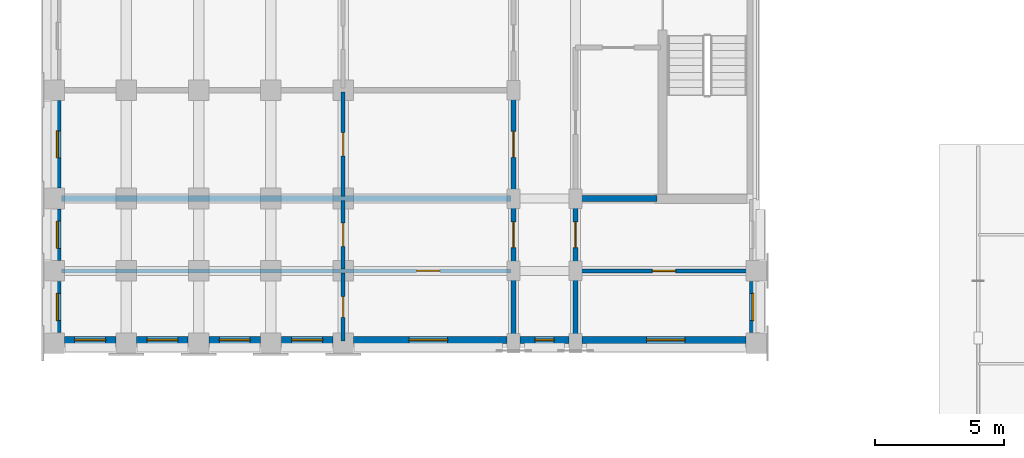
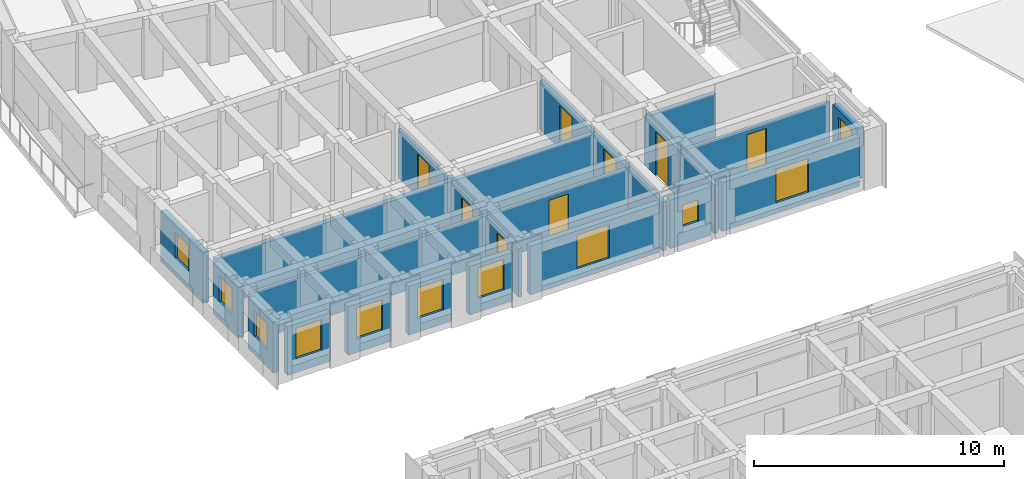
# One storey, part 42 of 76: 23 walls, 11 windows, 8 doors, 19 openings.
"""IFC4 building model written with IfcOpenShell, lengths in metres."""

from ifc_helpers import new_model, si_unit, direction, frame, frame_2d, origin, place, context, subcontext, project, spatial, rectangle, extrude, material, layer, layer_set, type_object, element, fill, save


model = new_model("IFC4")

# Units and contexts
model_context = context("Model", 3, precision=1e-05, world=origin(), true_north=direction((0.0, 1.0)))
body_context = subcontext(model_context, "Body", "Model", "MODEL_VIEW")
ifc_project = project(units=[si_unit("LENGTHUNIT", "METRE"), si_unit("AREAUNIT", "SQUARE_METRE"), si_unit("VOLUMEUNIT", "CUBIC_METRE"), si_unit("PLANEANGLEUNIT", "RADIAN"), si_unit("MASSUNIT", "GRAM", prefix="KILO")], contexts=[model_context])

# Site, building, storey
site_placement = place(None, origin())
site = spatial("IfcSite", under=ifc_project, at=site_placement, CompositionType="ELEMENT")
building_placement = place(site_placement, origin())
building = spatial("IfcBuilding", under=site, at=building_placement, Name="Kiranvali Square Residences", CompositionType="ELEMENT")
storey_placement = place(building_placement, frame((0.0, 0.0, 8.699951171875)))
storey = spatial("IfcBuildingStorey", under=building, at=storey_placement, Name="L02", CompositionType="ELEMENT", Elevation=8.699951171875)

# Wall, opening, door
ifc_material_1 = material(Name="Autoclaved aerated concrete blockwork masonry", Category="masonry")
ifc_layer_1 = layer(ifc_material_1, 0.199951171875)
ifc_layer_set_1 = layer_set([ifc_layer_1], Name="Autoclaved aerated concrete blockwork masonry")
wall_type_1 = type_object("IfcWallType", Name="WL-COR-200", PredefinedType="STANDARD", material=ifc_layer_set_1)
wall_1_placement = place(storey_placement, frame((20.0, 83.60009765625, 0.0), z_axis=(0.0, 0.0, 1.0), x_axis=(0.0, -1.0, 0.0)))
wall_1 = element("IfcWall", 1, at=wall_1_placement, inside=storey, type_object=wall_type_1, Name="L02 architectural wall WL-L02-A-A2CF-C1", PredefinedType="STANDARD", context=body_context, shape_type="SweptSolid", body=[
    extrude(rectangle(XDim=4.2001953125, YDim=0.199951171875, at=frame_2d((2.10009765625, 0.0))), origin(), (0.0, 0.0, 1.0), 2.3720703125),
])
opening_1_placement = place(wall_1_placement, frame((1.60009765625, 0.0, 0.0)))
opening_1 = element("IfcOpeningElement", 2, at=opening_1_placement, cuts=wall_1, Name="Opening FD-APT-60", PredefinedType="OPENING", context=body_context, shape_type="SweptSolid", body=[
    extrude(rectangle(XDim=1.0, YDim=2.14990234375, at=frame_2d((0.5, 1.074951171875))), frame((0.0, 0.10986328125, 0.0), z_axis=(0.0, -1.0, 0.0), x_axis=(1.0, 0.0, 0.0)), (0.0, 0.0, 1.0), 0.219970703125),
])
ifc_material_2 = material(Name="Fire-rated acoustic hardwood and mineral-core door assembly", Category="wood")
door_type_1 = type_object("IfcDoorType", Name="DR-APT-1000", OperationType="NOTDEFINED", PredefinedType="DOOR", material=ifc_material_2)
door_1_placement = place(opening_1_placement, frame((1.0, 0.0, 0.0), z_axis=(0.0, 0.0, 1.0), x_axis=(-1.0, 0.0, 0.0)))
door_1 = element("IfcDoor", 3, at=door_1_placement, inside=storey, type_object=door_type_1, Name="L02 door DR-L02-0206 (DR-APT-1000)", OperationType="SINGLE_SWING_RIGHT", OverallHeight=2.14990234375, OverallWidth=1.0, PredefinedType="DOOR", context=body_context, shape_type="SweptSolid", body=[
    extrude(rectangle(XDim=1.0, YDim=2.14990234375, at=frame_2d((0.5, 1.074951171875))), frame((0.0, 0.02490234375, 0.0), z_axis=(0.0, -1.0, 0.0), x_axis=(1.0, 0.0, 0.0)), (0.0, 0.0, 1.0), 0.050048828125),
])
fill(opening_1, door_1)

wall_2_placement = place(storey_placement, frame((22.39990234375, 79.39990234375, 0.0), z_axis=(0.0, 0.0, 1.0), x_axis=(0.0, -1.0, 0.0)))
wall_2 = element("IfcWall", 4, at=wall_2_placement, inside=storey, type_object=wall_type_1, Name="L02 architectural wall WL-L02-A-A2CI-0", PredefinedType="STANDARD", context=body_context, shape_type="SweptSolid", body=[
    extrude(rectangle(XDim=2.7998046875, YDim=0.199951171875, at=frame_2d((1.39990234375, 0.0))), origin(), (0.0, 0.0, 1.0), 2.3720703125),
])
opening_2_placement = place(wall_2_placement, frame((0.89990234375, 0.0, 0.0)))
opening_2 = element("IfcOpeningElement", 5, at=opening_2_placement, cuts=wall_2, Name="Opening FD-APT-60", PredefinedType="OPENING", context=body_context, shape_type="SweptSolid", body=[
    extrude(rectangle(XDim=1.0, YDim=2.14990234375, at=frame_2d((0.5, 1.074951171875))), frame((0.0, 0.10986328125, 0.0), z_axis=(0.0, -1.0, 0.0), x_axis=(1.0, 0.0, 0.0)), (0.0, 0.0, 1.0), 0.219970703125),
])
door_2_placement = place(opening_2_placement, frame((1.0, 0.0, 0.0), z_axis=(0.0, 0.0, 1.0), x_axis=(-1.0, 0.0, 0.0)))
door_2 = element("IfcDoor", 6, at=door_2_placement, inside=storey, type_object=door_type_1, Name="L02 door DR-L02-0208 (DR-APT-1000)", OperationType="SINGLE_SWING_RIGHT", OverallHeight=2.14990234375, OverallWidth=1.0, PredefinedType="DOOR", context=body_context, shape_type="SweptSolid", body=[
    extrude(rectangle(XDim=1.0, YDim=2.14990234375, at=frame_2d((0.5, 1.074951171875))), frame((0.0, 0.02490234375, 0.0), z_axis=(0.0, -1.0, 0.0), x_axis=(1.0, 0.0, 0.0)), (0.0, 0.0, 1.0), 0.050048828125),
])
fill(opening_2, door_2)

wall_3_placement = place(storey_placement, frame((20.0, 79.39990234375, 0.0), z_axis=(0.0, 0.0, 1.0), x_axis=(0.0, -1.0, 0.0)))
wall_3 = element("IfcWall", 7, at=wall_3_placement, inside=storey, type_object=wall_type_1, Name="L02 architectural wall WL-L02-A-A2CO-0", PredefinedType="STANDARD", context=body_context, shape_type="SweptSolid", body=[
    extrude(rectangle(XDim=2.7998046875, YDim=0.199951171875, at=frame_2d((1.39990234375, 0.0))), origin(), (0.0, 0.0, 1.0), 2.3720703125),
])
opening_3_placement = place(wall_3_placement, frame((0.89990234375, 0.0, 0.0)))
opening_3 = element("IfcOpeningElement", 8, at=opening_3_placement, cuts=wall_3, Name="Opening FD-APT-60", PredefinedType="OPENING", context=body_context, shape_type="SweptSolid", body=[
    extrude(rectangle(XDim=1.0, YDim=2.14990234375, at=frame_2d((0.5, 1.074951171875))), frame((0.0, 0.10986328125, 0.0), z_axis=(0.0, -1.0, 0.0), x_axis=(1.0, 0.0, 0.0)), (0.0, 0.0, 1.0), 0.219970703125),
])
door_3_placement = place(opening_3_placement, frame((1.0, 0.0, 0.0), z_axis=(0.0, 0.0, 1.0), x_axis=(-1.0, 0.0, 0.0)))
door_3 = element("IfcDoor", 9, at=door_3_placement, inside=storey, type_object=door_type_1, Name="L02 door DR-L02-0210 (DR-APT-1000)", OperationType="SINGLE_SWING_RIGHT", OverallHeight=2.14990234375, OverallWidth=1.0, PredefinedType="DOOR", context=body_context, shape_type="SweptSolid", body=[
    extrude(rectangle(XDim=1.0, YDim=2.14990234375, at=frame_2d((0.5, 1.074951171875))), frame((0.0, 0.02490234375, 0.0), z_axis=(0.0, -1.0, 0.0), x_axis=(1.0, 0.0, 0.0)), (0.0, 0.0, 1.0), 0.050048828125),
])
fill(opening_3, door_3)

# Walls
for number, where, z_axis, x_axis, name in (
    (10, (22.39990234375, 76.60009765625, 0.0), (0.0, 0.0, 1.0), (0.0, -1.0, 0.0), "L02 architectural wall WL-L02-A-A2CI-1"),
    (11, (20.0, 76.60009765625, 0.0), (0.0, 0.0, 1.0), (0.0, -1.0, 0.0), "L02 architectural wall WL-L02-A-A2CO-1"),
):
    element("IfcWall", number, at=place(storey_placement, frame(where, z_axis=z_axis, x_axis=x_axis)), inside=storey, type_object=wall_type_1, Name=name, PredefinedType="STANDARD", context=body_context, shape_type="SweptSolid", body=[
        extrude(rectangle(XDim=2.800048828125, YDim=0.199951171875, at=frame_2d((1.39990234375, 0.0))), origin(), (0.0, 0.0, 1.0), 2.3720703125),
    ])
ifc_layer_2 = layer(ifc_material_1, 0.219970703125)
ifc_layer_set_2 = layer_set([ifc_layer_2], Name="Autoclaved aerated concrete blockwork masonry")
wall_type_2 = type_object("IfcWallType", Name="WL-DEM-220", PredefinedType="STANDARD", material=ifc_layer_set_2)
wall_4_placement = place(storey_placement, frame((25.550048828125, 79.39990234375, 0.0), z_axis=(0.0, 0.0, 1.0), x_axis=(-1.0, 0.0, 0.0)))
element("IfcWall", 12, at=wall_4_placement, inside=storey, type_object=wall_type_2, Name="L02 architectural wall WL-L02-A-A2TI-0", PredefinedType="STANDARD", context=body_context, shape_type="SweptSolid", body=[
    extrude(rectangle(XDim=3.10009765625, YDim=0.219970703125, at=frame_2d((1.550048828125, 0.0))), origin(), (0.0, 0.0, 1.0), 2.3720703125),
])
wall_5_placement = place(storey_placement, frame((19.89990234375, 79.39990234375, 0.0), z_axis=(0.0, 0.0, 1.0), x_axis=(-1.0, 0.0, 0.0)))
element("IfcWall", 13, at=wall_5_placement, inside=storey, type_object=wall_type_2, Name="L02 architectural wall WL-L02-A-A2TO-0", PredefinedType="STANDARD", context=body_context, shape_type="SweptSolid", body=[
    extrude(rectangle(XDim=17.419921875, YDim=0.219970703125, at=frame_2d((8.7099609375, 0.0))), origin(), (0.0, 0.0, 1.0), 2.3720703125),
])

# Wall, opening, window
ifc_material_3 = material(Name="Breathable lime-rendered clay brick masonry", Category="masonry")
ifc_layer_3 = layer(ifc_material_3, 0.27490234375)
ifc_layer_set_3 = layer_set([ifc_layer_3], Name="Breathable lime-rendered clay brick masonry")
wall_type_3 = type_object("IfcWallType", Name="WL-EXT-275", PredefinedType="STANDARD", material=ifc_layer_set_3)
wall_6_placement = place(storey_placement, frame((2.324951171875, 83.196533203125, 0.0), z_axis=(0.0, 0.0, 1.0), x_axis=(0.0, -1.0, 0.0)))
wall_6 = element("IfcWall", 14, at=wall_6_placement, inside=storey, type_object=wall_type_3, Name="L02 exterior wall A-L02-A2O-1", PredefinedType="STANDARD", context=body_context, shape_type="SweptSolid", body=[
    extrude(rectangle(XDim=3.39306640625, YDim=0.27490234375, at=frame_2d((1.696533203125, 0.0))), origin(), (0.0, 0.0, 1.0), 2.47216796875),
])
opening_4_placement = place(wall_6_placement, frame((1.17138671875, 0.0, 0.8798828125)))
opening_4 = element("IfcOpeningElement", 15, at=opening_4_placement, cuts=wall_6, Name="Opening W-24", PredefinedType="OPENING", context=body_context, shape_type="SweptSolid", body=[
    extrude(rectangle(XDim=1.050048828125, YDim=1.25, at=frame_2d((0.52490234375, 0.625))), frame((0.0, 0.1474609375, 0.0), z_axis=(0.0, -1.0, 0.0), x_axis=(1.0, 0.0, 0.0)), (0.0, 0.0, 1.0), 0.294921875),
])
ifc_material_4 = material(Name="Solar-control low-e double glazing", Category="glass")
window_type_1 = type_object("IfcWindowType", Name="WIN-COR-1050x1250", PartitioningType="SINGLE_PANEL", PredefinedType="WINDOW", material=ifc_material_4)
window_1_placement = place(opening_4_placement, origin())
window_1 = element("IfcWindow", 16, at=window_1_placement, inside=storey, type_object=window_type_1, Name="L02 recessed window A-L02-A2O-1", OverallHeight=1.25, OverallWidth=1.050048828125, PartitioningType="SINGLE_PANEL", PredefinedType="WINDOW", context=body_context, shape_type="SweptSolid", body=[
    extrude(rectangle(XDim=1.050048828125, YDim=1.25, at=frame_2d((0.52490234375, 0.625))), frame((0.0, 0.030029296875, 0.0), z_axis=(0.0, -1.0, 0.0), x_axis=(1.0, 0.0, 0.0)), (0.0, 0.0, 1.0), 0.06005859375),
])
fill(opening_4, window_1)

wall_7_placement = place(storey_placement, frame((2.324951171875, 78.99658203125, 0.0), z_axis=(0.0, 0.0, 1.0), x_axis=(0.0, -1.0, 0.0)))
wall_7 = element("IfcWall", 17, at=wall_7_placement, inside=storey, type_object=wall_type_3, Name="L02 exterior wall A-L02-A2O-2", PredefinedType="STANDARD", context=body_context, shape_type="SweptSolid", body=[
    extrude(rectangle(XDim=1.9931640625, YDim=0.27490234375, at=frame_2d((0.99658203125, 0.0))), origin(), (0.0, 0.0, 1.0), 2.47216796875),
])
opening_5_placement = place(wall_7_placement, frame((0.471435546875, 0.0, 0.8798828125)))
opening_5 = element("IfcOpeningElement", 18, at=opening_5_placement, cuts=wall_7, Name="Opening W-24", PredefinedType="OPENING", context=body_context, shape_type="SweptSolid", body=[
    extrude(rectangle(XDim=1.050048828125, YDim=1.25, at=frame_2d((0.52490234375, 0.625))), frame((0.0, 0.1474609375, 0.0), z_axis=(0.0, -1.0, 0.0), x_axis=(1.0, 0.0, 0.0)), (0.0, 0.0, 1.0), 0.294921875),
])
window_2_placement = place(opening_5_placement, origin())
window_2 = element("IfcWindow", 19, at=window_2_placement, inside=storey, type_object=window_type_1, Name="L02 recessed window A-L02-A2O-2", OverallHeight=1.25, OverallWidth=1.050048828125, PartitioningType="SINGLE_PANEL", PredefinedType="WINDOW", context=body_context, shape_type="SweptSolid", body=[
    extrude(rectangle(XDim=1.050048828125, YDim=1.25, at=frame_2d((0.52490234375, 0.625))), frame((0.0, 0.030029296875, 0.0), z_axis=(0.0, -1.0, 0.0), x_axis=(1.0, 0.0, 0.0)), (0.0, 0.0, 1.0), 0.06005859375),
])
fill(opening_5, window_2)

wall_8_placement = place(storey_placement, frame((2.324951171875, 76.196533203125, 0.0), z_axis=(0.0, 0.0, 1.0), x_axis=(0.0, -1.0, 0.0)))
wall_8 = element("IfcWall", 20, at=wall_8_placement, inside=storey, type_object=wall_type_3, Name="L02 exterior wall A-L02-A2O-3", PredefinedType="STANDARD", context=body_context, shape_type="SweptSolid", body=[
    extrude(rectangle(XDim=1.992919921875, YDim=0.27490234375, at=frame_2d((0.99658203125, 0.0))), origin(), (0.0, 0.0, 1.0), 2.47216796875),
])
opening_6_placement = place(wall_8_placement, frame((0.471435546875, 0.0, 0.8798828125)))
opening_6 = element("IfcOpeningElement", 21, at=opening_6_placement, cuts=wall_8, Name="Opening W-24", PredefinedType="OPENING", context=body_context, shape_type="SweptSolid", body=[
    extrude(rectangle(XDim=1.050048828125, YDim=1.25, at=frame_2d((0.52490234375, 0.625))), frame((0.0, 0.1474609375, 0.0), z_axis=(0.0, -1.0, 0.0), x_axis=(1.0, 0.0, 0.0)), (0.0, 0.0, 1.0), 0.294921875),
])
window_3_placement = place(opening_6_placement, origin())
window_3 = element("IfcWindow", 22, at=window_3_placement, inside=storey, type_object=window_type_1, Name="L02 recessed window A-L02-A2O-3", OverallHeight=1.25, OverallWidth=1.050048828125, PartitioningType="SINGLE_PANEL", PredefinedType="WINDOW", context=body_context, shape_type="SweptSolid", body=[
    extrude(rectangle(XDim=1.050048828125, YDim=1.25, at=frame_2d((0.52490234375, 0.625))), frame((0.0, 0.030029296875, 0.0), z_axis=(0.0, -1.0, 0.0), x_axis=(1.0, 0.0, 0.0)), (0.0, 0.0, 1.0), 0.06005859375),
])
fill(opening_6, window_3)

wall_9_placement = place(storey_placement, frame((29.27490234375, 76.196533203125, 0.0), z_axis=(0.0, 0.0, 1.0), x_axis=(0.0, -1.0, 0.0)))
wall_9 = element("IfcWall", 23, at=wall_9_placement, inside=storey, type_object=wall_type_3, Name="L02 exterior wall A-L02-A2I-1", PredefinedType="STANDARD", context=body_context, shape_type="SweptSolid", body=[
    extrude(rectangle(XDim=1.992919921875, YDim=0.27490234375, at=frame_2d((0.99658203125, 0.0))), origin(), (0.0, 0.0, 1.0), 2.47216796875),
])
opening_7_placement = place(wall_9_placement, frame((0.471435546875, 0.0, 0.8798828125)))
opening_7 = element("IfcOpeningElement", 24, at=opening_7_placement, cuts=wall_9, Name="Opening W-24", PredefinedType="OPENING", context=body_context, shape_type="SweptSolid", body=[
    extrude(rectangle(XDim=1.050048828125, YDim=1.25, at=frame_2d((0.52490234375, 0.625))), frame((0.0, 0.1474609375, 0.0), z_axis=(0.0, -1.0, 0.0), x_axis=(1.0, 0.0, 0.0)), (0.0, 0.0, 1.0), 0.294921875),
])
window_4_placement = place(opening_7_placement, origin())
window_4 = element("IfcWindow", 25, at=window_4_placement, inside=storey, type_object=window_type_1, Name="L02 recessed window A-L02-A2I-1", OverallHeight=1.25, OverallWidth=1.050048828125, PartitioningType="SINGLE_PANEL", PredefinedType="WINDOW", context=body_context, shape_type="SweptSolid", body=[
    extrude(rectangle(XDim=1.050048828125, YDim=1.25, at=frame_2d((0.52490234375, 0.625))), frame((0.0, 0.030029296875, 0.0), z_axis=(0.0, -1.0, 0.0), x_axis=(1.0, 0.0, 0.0)), (0.0, 0.0, 1.0), 0.06005859375),
])
fill(opening_7, window_4)

wall_10_placement = place(storey_placement, frame((28.99658203125, 73.925048828125, 0.0), z_axis=(0.0, 0.0, 1.0), x_axis=(-1.0, 0.0, 0.0)))
wall_10 = element("IfcWall", 26, at=wall_10_placement, inside=storey, type_object=wall_type_3, Name="L02 exterior wall A-L02-A2END-0", PredefinedType="STANDARD", context=body_context, shape_type="SweptSolid", body=[
    extrude(rectangle(XDim=6.343017578125, YDim=0.27490234375, at=frame_2d((3.17138671875, 0.0))), origin(), (0.0, 0.0, 1.0), 2.3720703125),
])
opening_8_placement = place(wall_10_placement, frame((2.346435546875, 0.0, 0.52197265625)))
opening_8 = element("IfcOpeningElement", 27, at=opening_8_placement, cuts=wall_10, Name="Opening W-05", PredefinedType="OPENING", context=body_context, shape_type="SweptSolid", body=[
    extrude(rectangle(XDim=1.5, YDim=1.64990234375, at=frame_2d((0.75, 0.824951171875))), frame((0.0, 0.1474609375, 0.0), z_axis=(0.0, -1.0, 0.0), x_axis=(1.0, 0.0, 0.0)), (0.0, 0.0, 1.0), 0.294921875),
])
window_type_2 = type_object("IfcWindowType", Name="WIN-RES-1500x1650", PartitioningType="DOUBLE_PANEL_VERTICAL", PredefinedType="WINDOW", material=ifc_material_4)
window_5_placement = place(opening_8_placement, origin())
window_5 = element("IfcWindow", 28, at=window_5_placement, inside=storey, type_object=window_type_2, Name="L02 recessed window A-L02-A2END-0", OverallHeight=1.64990234375, OverallWidth=1.5, PartitioningType="DOUBLE_PANEL_VERTICAL", PredefinedType="WINDOW", context=body_context, shape_type="SweptSolid", body=[
    extrude(rectangle(XDim=1.5, YDim=1.64990234375, at=frame_2d((0.75, 0.824951171875))), frame((0.0, 0.030029296875, 0.0), z_axis=(0.0, -1.0, 0.0), x_axis=(1.0, 0.0, 0.0)), (0.0, 0.0, 1.0), 0.06005859375),
])
fill(opening_8, window_5)

wall_11_placement = place(storey_placement, frame((22.146484375, 73.925048828125, 0.0), z_axis=(0.0, 0.0, 1.0), x_axis=(-1.0, 0.0, 0.0)))
wall_11 = element("IfcWall", 29, at=wall_11_placement, inside=storey, type_object=wall_type_3, Name="L02 exterior wall A-L02-A2END-1", PredefinedType="STANDARD", context=body_context, shape_type="SweptSolid", body=[
    extrude(rectangle(XDim=1.89306640625, YDim=0.27490234375, at=frame_2d((0.946533203125, 0.0))), origin(), (0.0, 0.0, 1.0), 2.3720703125),
])
opening_9_placement = place(wall_11_placement, frame((0.571533203125, 0.0, 0.8798828125)))
opening_9 = element("IfcOpeningElement", 30, at=opening_9_placement, cuts=wall_11, Name="Opening W-07", PredefinedType="OPENING", context=body_context, shape_type="SweptSolid", body=[
    extrude(rectangle(XDim=0.75, YDim=1.050048828125, at=frame_2d((0.375, 0.52490234375))), frame((0.0, 0.1474609375, 0.0), z_axis=(0.0, -1.0, 0.0), x_axis=(1.0, 0.0, 0.0)), (0.0, 0.0, 1.0), 0.294921875),
])
window_type_3 = type_object("IfcWindowType", Name="WIN-WET-750x1050", PartitioningType="SINGLE_PANEL", PredefinedType="WINDOW", material=ifc_material_4)
window_6_placement = place(opening_9_placement, origin())
window_6 = element("IfcWindow", 31, at=window_6_placement, inside=storey, type_object=window_type_3, Name="L02 recessed window A-L02-A2END-1", OverallHeight=1.050048828125, OverallWidth=0.75, PartitioningType="SINGLE_PANEL", PredefinedType="WINDOW", context=body_context, shape_type="SweptSolid", body=[
    extrude(rectangle(XDim=0.75, YDim=1.050048828125, at=frame_2d((0.375, 0.52490234375))), frame((0.0, 0.030029296875, 0.0), z_axis=(0.0, -1.0, 0.0), x_axis=(1.0, 0.0, 0.0)), (0.0, 0.0, 1.0), 0.06005859375),
])
fill(opening_9, window_6)

wall_12_placement = place(storey_placement, frame((19.74658203125, 73.925048828125, 0.0), z_axis=(0.0, 0.0, 1.0), x_axis=(-1.0, 0.0, 0.0)))
wall_12 = element("IfcWall", 32, at=wall_12_placement, inside=storey, type_object=wall_type_3, Name="L02 exterior wall A-L02-A2END-2", PredefinedType="STANDARD", context=body_context, shape_type="SweptSolid", body=[
    extrude(rectangle(XDim=5.943115234375, YDim=0.27490234375, at=frame_2d((2.9716796875, 0.0))), origin(), (0.0, 0.0, 1.0), 2.3720703125),
])
opening_10_placement = place(wall_12_placement, frame((2.29638671875, 0.0, 0.52197265625)))
opening_10 = element("IfcOpeningElement", 33, at=opening_10_placement, cuts=wall_12, Name="Opening W-05", PredefinedType="OPENING", context=body_context, shape_type="SweptSolid", body=[
    extrude(rectangle(XDim=1.5, YDim=1.64990234375, at=frame_2d((0.75, 0.824951171875))), frame((0.0, 0.1474609375, 0.0), z_axis=(0.0, -1.0, 0.0), x_axis=(1.0, 0.0, 0.0)), (0.0, 0.0, 1.0), 0.294921875),
])
window_7_placement = place(opening_10_placement, origin())
window_7 = element("IfcWindow", 34, at=window_7_placement, inside=storey, type_object=window_type_2, Name="L02 recessed window A-L02-A2END-2", OverallHeight=1.64990234375, OverallWidth=1.5, PartitioningType="DOUBLE_PANEL_VERTICAL", PredefinedType="WINDOW", context=body_context, shape_type="SweptSolid", body=[
    extrude(rectangle(XDim=1.5, YDim=1.64990234375, at=frame_2d((0.75, 0.824951171875))), frame((0.0, 0.030029296875, 0.0), z_axis=(0.0, -1.0, 0.0), x_axis=(1.0, 0.0, 0.0)), (0.0, 0.0, 1.0), 0.06005859375),
])
fill(opening_10, window_7)

wall_13_placement = place(storey_placement, frame((12.99658203125, 73.925048828125, 0.0), z_axis=(0.0, 0.0, 1.0), x_axis=(-1.0, 0.0, 0.0)))
wall_13 = element("IfcWall", 35, at=wall_13_placement, inside=storey, type_object=wall_type_3, Name="L02 exterior wall A-L02-A2END-3", PredefinedType="STANDARD", context=body_context, shape_type="SweptSolid", body=[
    extrude(rectangle(XDim=1.9931640625, YDim=0.27490234375, at=frame_2d((0.99658203125, 0.0))), origin(), (0.0, 0.0, 1.0), 2.3720703125),
])
opening_11_placement = place(wall_13_placement, frame((0.396484375, 0.0, 0.672119140625)))
opening_11 = element("IfcOpeningElement", 36, at=opening_11_placement, cuts=wall_13, Name="Opening W-06", PredefinedType="OPENING", context=body_context, shape_type="SweptSolid", body=[
    extrude(rectangle(XDim=1.199951171875, YDim=1.5, at=frame_2d((0.60009765625, 0.75))), frame((0.0, 0.1474609375, 0.0), z_axis=(0.0, -1.0, 0.0), x_axis=(1.0, 0.0, 0.0)), (0.0, 0.0, 1.0), 0.294921875),
])
window_type_4 = type_object("IfcWindowType", Name="WIN-RES-1200x1500", PartitioningType="SINGLE_PANEL", PredefinedType="WINDOW", material=ifc_material_4)
window_8_placement = place(opening_11_placement, origin())
window_8 = element("IfcWindow", 37, at=window_8_placement, inside=storey, type_object=window_type_4, Name="L02 recessed window A-L02-A2END-3", OverallHeight=1.5, OverallWidth=1.199951171875, PartitioningType="SINGLE_PANEL", PredefinedType="WINDOW", context=body_context, shape_type="SweptSolid", body=[
    extrude(rectangle(XDim=1.199951171875, YDim=1.5, at=frame_2d((0.60009765625, 0.75))), frame((0.0, 0.030029296875, 0.0), z_axis=(0.0, -1.0, 0.0), x_axis=(1.0, 0.0, 0.0)), (0.0, 0.0, 1.0), 0.06005859375),
])
fill(opening_11, window_8)

wall_14_placement = place(storey_placement, frame((10.196533203125, 73.925048828125, 0.0), z_axis=(0.0, 0.0, 1.0), x_axis=(-1.0, 0.0, 0.0)))
wall_14 = element("IfcWall", 38, at=wall_14_placement, inside=storey, type_object=wall_type_3, Name="L02 exterior wall A-L02-A2END-4", PredefinedType="STANDARD", context=body_context, shape_type="SweptSolid", body=[
    extrude(rectangle(XDim=1.992919921875, YDim=0.27490234375, at=frame_2d((0.99658203125, 0.0))), origin(), (0.0, 0.0, 1.0), 2.3720703125),
])
opening_12_placement = place(wall_14_placement, frame((0.396484375, 0.0, 0.672119140625)))
opening_12 = element("IfcOpeningElement", 39, at=opening_12_placement, cuts=wall_14, Name="Opening W-06", PredefinedType="OPENING", context=body_context, shape_type="SweptSolid", body=[
    extrude(rectangle(XDim=1.199951171875, YDim=1.5, at=frame_2d((0.60009765625, 0.75))), frame((0.0, 0.1474609375, 0.0), z_axis=(0.0, -1.0, 0.0), x_axis=(1.0, 0.0, 0.0)), (0.0, 0.0, 1.0), 0.294921875),
])
window_9_placement = place(opening_12_placement, origin())
window_9 = element("IfcWindow", 40, at=window_9_placement, inside=storey, type_object=window_type_4, Name="L02 recessed window A-L02-A2END-4", OverallHeight=1.5, OverallWidth=1.199951171875, PartitioningType="SINGLE_PANEL", PredefinedType="WINDOW", context=body_context, shape_type="SweptSolid", body=[
    extrude(rectangle(XDim=1.199951171875, YDim=1.5, at=frame_2d((0.60009765625, 0.75))), frame((0.0, 0.030029296875, 0.0), z_axis=(0.0, -1.0, 0.0), x_axis=(1.0, 0.0, 0.0)), (0.0, 0.0, 1.0), 0.06005859375),
])
fill(opening_12, window_9)

wall_15_placement = place(storey_placement, frame((7.396484375, 73.925048828125, 0.0), z_axis=(0.0, 0.0, 1.0), x_axis=(-1.0, 0.0, 0.0)))
wall_15 = element("IfcWall", 41, at=wall_15_placement, inside=storey, type_object=wall_type_3, Name="L02 exterior wall A-L02-A2END-5", PredefinedType="STANDARD", context=body_context, shape_type="SweptSolid", body=[
    extrude(rectangle(XDim=1.992919921875, YDim=0.27490234375, at=frame_2d((0.99658203125, 0.0))), origin(), (0.0, 0.0, 1.0), 2.3720703125),
])
opening_13_placement = place(wall_15_placement, frame((0.396484375, 0.0, 0.672119140625)))
opening_13 = element("IfcOpeningElement", 42, at=opening_13_placement, cuts=wall_15, Name="Opening W-06", PredefinedType="OPENING", context=body_context, shape_type="SweptSolid", body=[
    extrude(rectangle(XDim=1.199951171875, YDim=1.5, at=frame_2d((0.60009765625, 0.75))), frame((0.0, 0.1474609375, 0.0), z_axis=(0.0, -1.0, 0.0), x_axis=(1.0, 0.0, 0.0)), (0.0, 0.0, 1.0), 0.294921875),
])
window_10_placement = place(opening_13_placement, origin())
window_10 = element("IfcWindow", 43, at=window_10_placement, inside=storey, type_object=window_type_4, Name="L02 recessed window A-L02-A2END-5", OverallHeight=1.5, OverallWidth=1.199951171875, PartitioningType="SINGLE_PANEL", PredefinedType="WINDOW", context=body_context, shape_type="SweptSolid", body=[
    extrude(rectangle(XDim=1.199951171875, YDim=1.5, at=frame_2d((0.60009765625, 0.75))), frame((0.0, 0.030029296875, 0.0), z_axis=(0.0, -1.0, 0.0), x_axis=(1.0, 0.0, 0.0)), (0.0, 0.0, 1.0), 0.06005859375),
])
fill(opening_13, window_10)

wall_16_placement = place(storey_placement, frame((4.596435546875, 73.925048828125, 0.0), z_axis=(0.0, 0.0, 1.0), x_axis=(-1.0, 0.0, 0.0)))
wall_16 = element("IfcWall", 44, at=wall_16_placement, inside=storey, type_object=wall_type_3, Name="L02 exterior wall A-L02-A2END-6", PredefinedType="STANDARD", context=body_context, shape_type="SweptSolid", body=[
    extrude(rectangle(XDim=1.992919921875, YDim=0.27490234375, at=frame_2d((0.99658203125, 0.0))), origin(), (0.0, 0.0, 1.0), 2.3720703125),
])
opening_14_placement = place(wall_16_placement, frame((0.396484375, 0.0, 0.672119140625)))
opening_14 = element("IfcOpeningElement", 45, at=opening_14_placement, cuts=wall_16, Name="Opening W-06", PredefinedType="OPENING", context=body_context, shape_type="SweptSolid", body=[
    extrude(rectangle(XDim=1.199951171875, YDim=1.5, at=frame_2d((0.60009765625, 0.75))), frame((0.0, 0.1474609375, 0.0), z_axis=(0.0, -1.0, 0.0), x_axis=(1.0, 0.0, 0.0)), (0.0, 0.0, 1.0), 0.294921875),
])
window_11_placement = place(opening_14_placement, origin())
window_11 = element("IfcWindow", 46, at=window_11_placement, inside=storey, type_object=window_type_4, Name="L02 recessed window A-L02-A2END-6", OverallHeight=1.5, OverallWidth=1.199951171875, PartitioningType="SINGLE_PANEL", PredefinedType="WINDOW", context=body_context, shape_type="SweptSolid", body=[
    extrude(rectangle(XDim=1.199951171875, YDim=1.5, at=frame_2d((0.60009765625, 0.75))), frame((0.0, 0.030029296875, 0.0), z_axis=(0.0, -1.0, 0.0), x_axis=(1.0, 0.0, 0.0)), (0.0, 0.0, 1.0), 0.06005859375),
])
fill(opening_14, window_11)

# Wall, opening, door
ifc_material_5 = material(Name="Acoustic gypsum board drylined partition", Category="gypsum")
ifc_layer_4 = layer(ifc_material_5, 0.14990234375)
ifc_layer_set_4 = layer_set([ifc_layer_4], Name="Acoustic gypsum board drylined partition")
wall_type_4 = type_object("IfcWallType", Name="WL-PRT-150", PredefinedType="PARTITIONING", material=ifc_layer_set_4)
wall_17_placement = place(storey_placement, frame((13.39990234375, 83.52001953125, 0.0), z_axis=(0.0, 0.0, 1.0), x_axis=(0.0, -1.0, 0.0)))
wall_17 = element("IfcWall", 47, at=wall_17_placement, inside=storey, type_object=wall_type_4, Name="L02 architectural wall WL-L02-A-A2CF-SP1", PredefinedType="PARTITIONING", context=body_context, shape_type="SweptSolid", body=[
    extrude(rectangle(XDim=4.0400390625, YDim=0.14990234375, at=frame_2d((2.02001953125, 0.0))), origin(), (0.0, 0.0, 1.0), 2.3720703125),
])
opening_15_placement = place(wall_17_placement, frame((1.570068359375, 0.0, 0.0)))
opening_15 = element("IfcOpeningElement", 48, at=opening_15_placement, cuts=wall_17, Name="Opening ID-1", PredefinedType="OPENING", context=body_context, shape_type="SweptSolid", body=[
    extrude(rectangle(XDim=0.89990234375, YDim=2.10009765625, at=frame_2d((0.449951171875, 1.050048828125))), frame((0.0, 0.0849609375, 0.0), z_axis=(0.0, -1.0, 0.0), x_axis=(1.0, 0.0, 0.0)), (0.0, 0.0, 1.0), 0.169921875),
])
ifc_material_6 = material(Name="Solid seasoned teak hardwood joinery", Category="wood")
door_type_2 = type_object("IfcDoorType", Name="DR-INT-900", OperationType="NOTDEFINED", PredefinedType="DOOR", material=ifc_material_6)
door_4_placement = place(opening_15_placement, origin())
door_4 = element("IfcDoor", 49, at=door_4_placement, inside=storey, type_object=door_type_2, Name="L02 door DR-L02-0207 (DR-INT-900)", OperationType="SINGLE_SWING_LEFT", OverallHeight=2.10009765625, OverallWidth=0.89990234375, PredefinedType="DOOR", context=body_context, shape_type="SweptSolid", body=[
    extrude(rectangle(XDim=0.89990234375, YDim=2.10009765625, at=frame_2d((0.449951171875, 1.050048828125))), frame((0.0, 0.02490234375, 0.0), z_axis=(0.0, -1.0, 0.0), x_axis=(1.0, 0.0, 0.0)), (0.0, 0.0, 1.0), 0.050048828125),
])
fill(opening_15, door_4)

wall_18_placement = place(storey_placement, frame((29.199951171875, 76.60009765625, 0.0), z_axis=(0.0, 0.0, 1.0), x_axis=(-1.0, 0.0, 0.0)))
wall_18 = element("IfcWall", 50, at=wall_18_placement, inside=storey, type_object=wall_type_4, Name="L02 architectural wall WL-L02-A-A2TI-1", PredefinedType="PARTITIONING", context=body_context, shape_type="SweptSolid", body=[
    extrude(rectangle(XDim=6.75, YDim=0.14990234375, at=frame_2d((3.375, 0.0))), origin(), (0.0, 0.0, 1.0), 2.3720703125),
])
opening_16_placement = place(wall_18_placement, frame((2.925048828125, 0.0, 0.0)))
opening_16 = element("IfcOpeningElement", 51, at=opening_16_placement, cuts=wall_18, Name="Opening ID-1", PredefinedType="OPENING", context=body_context, shape_type="SweptSolid", body=[
    extrude(rectangle(XDim=0.89990234375, YDim=2.10009765625, at=frame_2d((0.449951171875, 1.050048828125))), frame((0.0, 0.0849609375, 0.0), z_axis=(0.0, -1.0, 0.0), x_axis=(1.0, 0.0, 0.0)), (0.0, 0.0, 1.0), 0.169921875),
])
door_5_placement = place(opening_16_placement, frame((0.89990234375, 0.0, 0.0), z_axis=(0.0, 0.0, 1.0), x_axis=(-1.0, 0.0, 0.0)))
door_5 = element("IfcDoor", 52, at=door_5_placement, inside=storey, type_object=door_type_2, Name="L02 door DR-L02-0212 (DR-INT-900)", OperationType="SINGLE_SWING_RIGHT", OverallHeight=2.10009765625, OverallWidth=0.89990234375, PredefinedType="DOOR", context=body_context, shape_type="SweptSolid", body=[
    extrude(rectangle(XDim=0.89990234375, YDim=2.10009765625, at=frame_2d((0.449951171875, 1.050048828125))), frame((0.0, 0.02490234375, 0.0), z_axis=(0.0, -1.0, 0.0), x_axis=(1.0, 0.0, 0.0)), (0.0, 0.0, 1.0), 0.050048828125),
])
fill(opening_16, door_5)

wall_19_placement = place(storey_placement, frame((19.89990234375, 76.60009765625, 0.0), z_axis=(0.0, 0.0, 1.0), x_axis=(-1.0, 0.0, 0.0)))
wall_19 = element("IfcWall", 53, at=wall_19_placement, inside=storey, type_object=wall_type_4, Name="L02 architectural wall WL-L02-A-A2TO-1", PredefinedType="PARTITIONING", context=body_context, shape_type="SweptSolid", body=[
    extrude(rectangle(XDim=17.419921875, YDim=0.14990234375, at=frame_2d((8.7099609375, 0.0))), origin(), (0.0, 0.0, 1.0), 2.3720703125),
])
opening_17_placement = place(wall_19_placement, frame((2.75, 0.0, 0.0)))
opening_17 = element("IfcOpeningElement", 54, at=opening_17_placement, cuts=wall_19, Name="Opening ID-1", PredefinedType="OPENING", context=body_context, shape_type="SweptSolid", body=[
    extrude(rectangle(XDim=0.89990234375, YDim=2.10009765625, at=frame_2d((0.449951171875, 1.050048828125))), frame((0.0, 0.0849609375, 0.0), z_axis=(0.0, -1.0, 0.0), x_axis=(1.0, 0.0, 0.0)), (0.0, 0.0, 1.0), 0.169921875),
])
door_6_placement = place(opening_17_placement, origin())
door_6 = element("IfcDoor", 55, at=door_6_placement, inside=storey, type_object=door_type_2, Name="L02 door DR-L02-0213 (DR-INT-900)", OperationType="SINGLE_SWING_LEFT", OverallHeight=2.10009765625, OverallWidth=0.89990234375, PredefinedType="DOOR", context=body_context, shape_type="SweptSolid", body=[
    extrude(rectangle(XDim=0.89990234375, YDim=2.10009765625, at=frame_2d((0.449951171875, 1.050048828125))), frame((0.0, 0.02490234375, 0.0), z_axis=(0.0, -1.0, 0.0), x_axis=(1.0, 0.0, 0.0)), (0.0, 0.0, 1.0), 0.050048828125),
])
fill(opening_17, door_6)

ifc_layer_5 = layer(ifc_material_1, 0.14990234375)
ifc_layer_set_5 = layer_set([ifc_layer_5], Name="Autoclaved aerated concrete blockwork masonry")
wall_type_5 = type_object("IfcWallType", Name="WL-WET-150", PredefinedType="PLUMBINGWALL", material=ifc_layer_set_5)
wall_20_placement = place(storey_placement, frame((13.39990234375, 79.320068359375, 0.0), z_axis=(0.0, 0.0, 1.0), x_axis=(0.0, -1.0, 0.0)))
wall_20 = element("IfcWall", 56, at=wall_20_placement, inside=storey, type_object=wall_type_5, Name="L02 architectural wall WL-L02-A-A2SP-0", PredefinedType="PLUMBINGWALL", context=body_context, shape_type="SweptSolid", body=[
    extrude(rectangle(XDim=2.64013671875, YDim=0.14990234375, at=frame_2d((1.320068359375, 0.0))), origin(), (0.0, 0.0, 1.0), 2.3720703125),
])
opening_18_placement = place(wall_20_placement, frame((0.8701171875, 0.0, 0.0)))
opening_18 = element("IfcOpeningElement", 57, at=opening_18_placement, cuts=wall_20, Name="Opening ID-1", PredefinedType="OPENING", context=body_context, shape_type="SweptSolid", body=[
    extrude(rectangle(XDim=0.89990234375, YDim=2.10009765625, at=frame_2d((0.449951171875, 1.050048828125))), frame((0.0, 0.0849609375, 0.0), z_axis=(0.0, -1.0, 0.0), x_axis=(1.0, 0.0, 0.0)), (0.0, 0.0, 1.0), 0.169921875),
])
door_7_placement = place(opening_18_placement, origin())
door_7 = element("IfcDoor", 58, at=door_7_placement, inside=storey, type_object=door_type_2, Name="L02 door DR-L02-0209 (DR-INT-900)", OperationType="SINGLE_SWING_LEFT", OverallHeight=2.10009765625, OverallWidth=0.89990234375, PredefinedType="DOOR", context=body_context, shape_type="SweptSolid", body=[
    extrude(rectangle(XDim=0.89990234375, YDim=2.10009765625, at=frame_2d((0.449951171875, 1.050048828125))), frame((0.0, 0.02490234375, 0.0), z_axis=(0.0, -1.0, 0.0), x_axis=(1.0, 0.0, 0.0)), (0.0, 0.0, 1.0), 0.050048828125),
])
fill(opening_18, door_7)

wall_21_placement = place(storey_placement, frame((13.39990234375, 76.52001953125, 0.0), z_axis=(0.0, 0.0, 1.0), x_axis=(0.0, -1.0, 0.0)))
wall_21 = element("IfcWall", 59, at=wall_21_placement, inside=storey, type_object=wall_type_5, Name="L02 architectural wall WL-L02-A-A2SP-1", PredefinedType="PLUMBINGWALL", context=body_context, shape_type="SweptSolid", body=[
    extrude(rectangle(XDim=2.64013671875, YDim=0.14990234375, at=frame_2d((1.320068359375, 0.0))), origin(), (0.0, 0.0, 1.0), 2.3720703125),
])
opening_19_placement = place(wall_21_placement, frame((0.919921875, 0.0, 0.0)))
opening_19 = element("IfcOpeningElement", 60, at=opening_19_placement, cuts=wall_21, Name="Opening ID-WET", PredefinedType="OPENING", context=body_context, shape_type="SweptSolid", body=[
    extrude(rectangle(XDim=0.800048828125, YDim=2.10009765625, at=frame_2d((0.39990234375, 1.050048828125))), frame((0.0, 0.0849609375, 0.0), z_axis=(0.0, -1.0, 0.0), x_axis=(1.0, 0.0, 0.0)), (0.0, 0.0, 1.0), 0.169921875),
])
door_type_3 = type_object("IfcDoorType", Name="DR-WET-800", OperationType="NOTDEFINED", PredefinedType="DOOR", material=ifc_material_6)
door_8_placement = place(opening_19_placement, origin())
door_8 = element("IfcDoor", 61, at=door_8_placement, inside=storey, type_object=door_type_3, Name="L02 door DR-L02-0211 (DR-WET-800)", OperationType="SINGLE_SWING_LEFT", OverallHeight=2.10009765625, OverallWidth=0.800048828125, PredefinedType="DOOR", context=body_context, shape_type="SweptSolid", body=[
    extrude(rectangle(XDim=0.800048828125, YDim=2.10009765625, at=frame_2d((0.39990234375, 1.050048828125))), frame((0.0, 0.02490234375, 0.0), z_axis=(0.0, -1.0, 0.0), x_axis=(1.0, 0.0, 0.0)), (0.0, 0.0, 1.0), 0.050048828125),
])
fill(opening_19, door_8)

save(model, "model.ifc")
